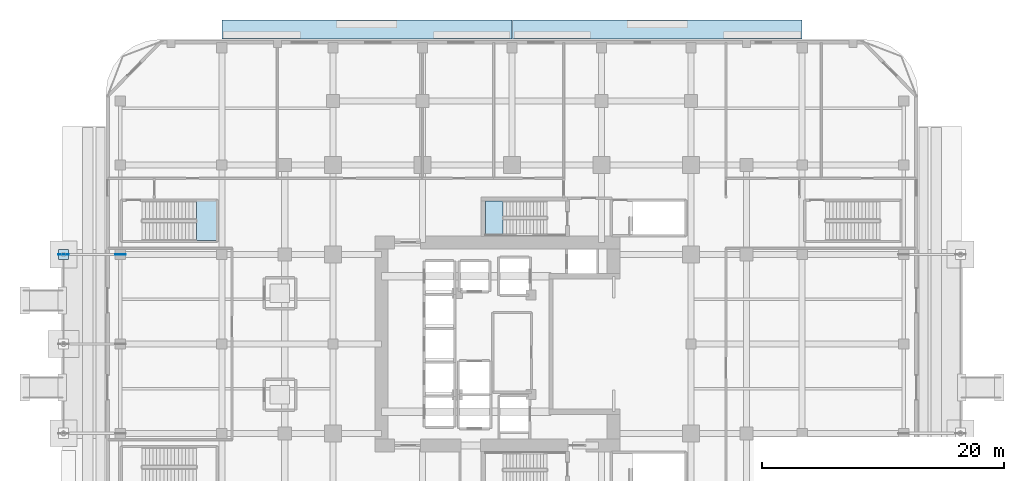
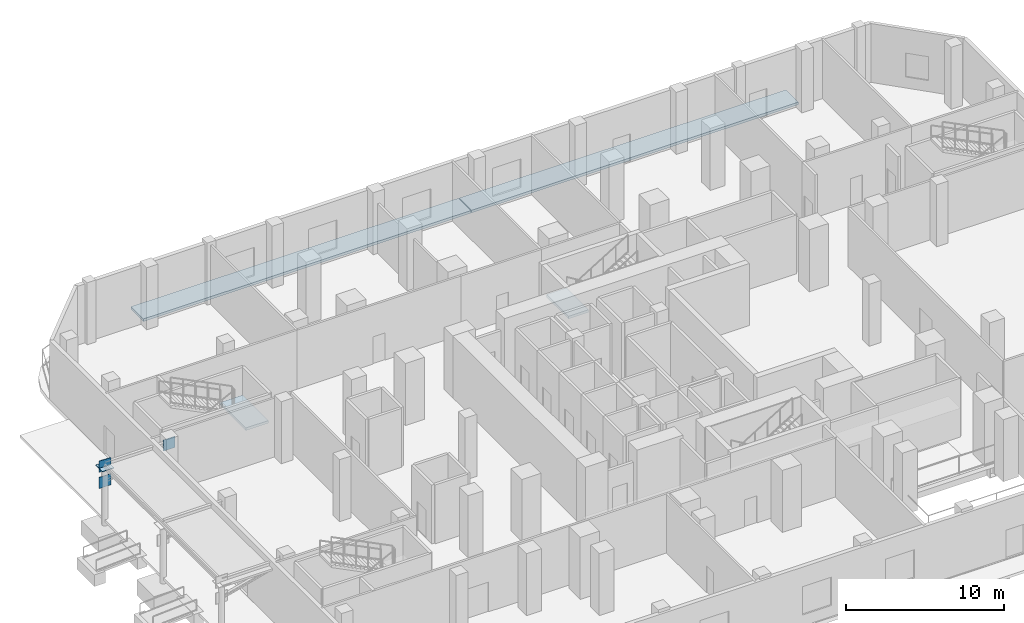
# One storey, part 11 of 24: 4 plates, 4 slabs, 2 elements without a shape of their own.
"""IFC4 building model written with IfcOpenShell, lengths in metres."""

from ifc_helpers import new_model, si_unit, direction, frame, origin, origin_2d, place, context, subcontext, project, spatial, polyline, rectangle, outline, extrude, material, layer, layer_set, type_object, element, aggregate, save


model = new_model("IFC4")

# Units and contexts
model_context = context("Model", 3, precision=1e-05, world=origin(), true_north=direction((0.0, 1.0)))
body_context = subcontext(model_context, "Body", "Model", "MODEL_VIEW")
ifc_project = project(units=[si_unit("LENGTHUNIT", "METRE"), si_unit("AREAUNIT", "SQUARE_METRE"), si_unit("VOLUMEUNIT", "CUBIC_METRE"), si_unit("PLANEANGLEUNIT", "RADIAN"), si_unit("MASSUNIT", "GRAM", prefix="KILO")], contexts=[model_context])

# Site, building, storey
site_placement = place(None, origin())
site = spatial("IfcSite", under=ifc_project, at=site_placement, CompositionType="ELEMENT")
building_placement = place(site_placement, origin())
building = spatial("IfcBuilding", under=site, at=building_placement, Name="Khorvyn Point Tower", CompositionType="ELEMENT")
storey_placement = place(building_placement, origin())
storey = spatial("IfcBuildingStorey", under=building, at=storey_placement, Name="L01", CompositionType="ELEMENT", Elevation=0.0)

# Stair, slab
ifc_material_1 = material(Name="Concrete C40/50", Category="concrete")
stair_type_1 = type_object("IfcStairType", Name="Tower Concrete C40/50 Dogleg Exit Stair", PredefinedType="HALF_TURN_STAIR", material=ifc_material_1)
stair_1_placement = place(storey_placement, origin())
stair_1 = element("IfcStair", 1, at=stair_1_placement, inside=storey, type_object=stair_type_1, Name="L01 Tower Smokeproof Exit Stair North", PredefinedType="HALF_TURN_STAIR")
ifc_layer_1 = layer(ifc_material_1, 0.199951171875)
ifc_layer_set_1 = layer_set([ifc_layer_1], Name="Concrete C40/50 Stair Landing Slab 200")
slab_type_1 = type_object("IfcSlabType", Name="Concrete C40/50 Stair Landing Slab 200", PredefinedType="LANDING", material=ifc_layer_set_1)
slab_1_placement = place(storey_placement, frame((0.0, 0.0, 2.199951171875)))
slab_1 = element("IfcSlab", 2, at=slab_1_placement, type_object=slab_type_1, Name="ST-02 landing 1", PredefinedType="LANDING", context=body_context, shape_type="SweptSolid", body=[
    extrude(outline(polyline([(-0.739990234375, 11.820068359375), (-2.199951171875, 11.820068359375), (-2.199951171875, 9.02001953125), (-0.739990234375, 9.02001953125), (-0.739990234375, 11.820068359375)])), origin(), (0.0, 0.0, 1.0), 0.199951171875),
])
aggregate(stair_1, [slab_1])

stair_type_2 = type_object("IfcStairType", Name="School Podium Concrete C40/50 Wide Exit Stair", PredefinedType="HALF_TURN_STAIR", material=ifc_material_1)
stair_2_placement = place(storey_placement, origin())
stair_2 = element("IfcStair", 3, at=stair_2_placement, inside=storey, type_object=stair_type_2, Name="L01 School Podium Smokeproof Stair Northwest", PredefinedType="HALF_TURN_STAIR")
slab_2_placement = place(storey_placement, frame((0.0, 0.0, 2.199951171875)))
slab_2 = element("IfcSlab", 4, at=slab_2_placement, type_object=slab_type_1, Name="ST-S2 landing 1", PredefinedType="LANDING", context=body_context, shape_type="SweptSolid", body=[
    extrude(outline(polyline([(-26.10009765625, 8.56005859375), (-24.449951171875, 8.56005859375), (-24.449951171875, 11.820068359375), (-26.10009765625, 11.820068359375), (-26.10009765625, 8.56005859375)])), origin(), (0.0, 0.0, 1.0), 0.199951171875),
])
aggregate(stair_2, [slab_2])

# Slabs
ifc_material_2 = material(Name="Precast concrete C35/45", Category="concrete")
ifc_layer_2 = layer(ifc_material_2, 0.199951171875)
ifc_layer_set_2 = layer_set([ifc_layer_2], Name="Precast Concrete C35/45 Forecourt Paving Slab 200")
slab_type_2 = type_object("IfcSlabType", Name="Precast Concrete C35/45 Forecourt Paving Slab 200", PredefinedType="USERDEFINED", material=ifc_layer_set_2)
slab_3_placement = place(storey_placement, frame((0.0, 0.0, -0.199951171875)))
element("IfcSlab", 5, at=slab_3_placement, inside=storey, type_object=slab_type_2, Name="L01 North Exit Discharge Walk Paving West", ObjectType="PAVING", PredefinedType="USERDEFINED", context=body_context, shape_type="SweptSolid", body=[
    extrude(outline(polyline([(-24.0, 25.219970703125), (0.0, 25.219970703125), (0.0, 26.800048828125), (-24.0, 26.800048828125), (-24.0, 25.219970703125)])), origin(), (0.0, 0.0, 1.0), 0.199951171875),
])
slab_4_placement = place(storey_placement, frame((0.0, 0.0, -0.199951171875)))
element("IfcSlab", 6, at=slab_4_placement, inside=storey, type_object=slab_type_2, Name="L01 North Fire Appliance Staging Paving East", ObjectType="PAVING", PredefinedType="USERDEFINED", context=body_context, shape_type="SweptSolid", body=[
    extrude(outline(polyline([(0.050048828125, 25.219970703125), (24.0, 25.219970703125), (24.0, 26.800048828125), (0.050048828125, 26.800048828125), (0.050048828125, 25.219970703125)])), origin(), (0.0, 0.0, 1.0), 0.199951171875),
])

# Plates
ifc_material_3 = material(Name="Steel S450", Category="steel")
ifc_layer_3 = layer(ifc_material_3, 0.031982421875)
ifc_layer_set_3 = layer_set([ifc_layer_3], Name="Steel S450 Exoskeleton End Cap Plate 32")
plate_type = type_object("IfcPlateType", Name="Steel S450 Exoskeleton End Cap Plate 32", PredefinedType="USERDEFINED", material=ifc_layer_set_3)
for number, where, z_axis, x_axis, name in (
    (7, (-37.10009765625, 7.39990234375, 2.419921875), (0.0, 0.0, 1.0), (1.0, 0.0, 0.0), "NP-CN-OUT-W3"),
    (8, (-32.39990234375, 7.39990234375, 3.669921875), (0.0, 0.0, 1.0), (1.0, 0.0, 0.0), "NP-CN-IN-W3"),
):
    element("IfcPlate", number, at=place(storey_placement, frame(where, z_axis=z_axis, x_axis=x_axis)), inside=storey, type_object=plate_type, Name=name, ObjectType="GUSSET", PredefinedType="USERDEFINED", context=body_context, shape_type="SweptSolid", body=[
        extrude(rectangle(XDim=0.860107421875, YDim=0.031982421875, at=origin_2d()), origin(), (0.0, 0.0, 1.0), 0.860107421875),
    ])
plate_1_placement = place(storey_placement, frame((-37.10009765625, 7.39990234375, 3.9541015625), z_axis=(0.0, 0.0, 1.0), x_axis=(1.0, 0.0, 0.0)))
element("IfcPlate", 9, at=plate_1_placement, inside=storey, type_object=plate_type, Name="Plate", ObjectType="GUSSET", PredefinedType="USERDEFINED", context=body_context, shape_type="SweptSolid", body=[
    extrude(rectangle(XDim=0.860107421875, YDim=0.860107421875, at=origin_2d()), origin(), (0.0, 0.0, 1.0), 0.031982421875),
])
plate_2_placement = place(storey_placement, frame((-37.10009765625, 7.409912109375, 3.669921875), z_axis=(0.0, 0.0, 1.0), x_axis=(1.0, 0.0, 0.0)))
element("IfcPlate", 10, at=plate_2_placement, inside=storey, type_object=plate_type, Name="Plate", ObjectType="GUSSET", PredefinedType="USERDEFINED", context=body_context, shape_type="SweptSolid", body=[
    extrude(rectangle(XDim=0.860107421875, YDim=0.031982421875, at=origin_2d()), origin(), (0.0, 0.0, 1.0), 0.860107421875),
])

save(model, "model.ifc")
